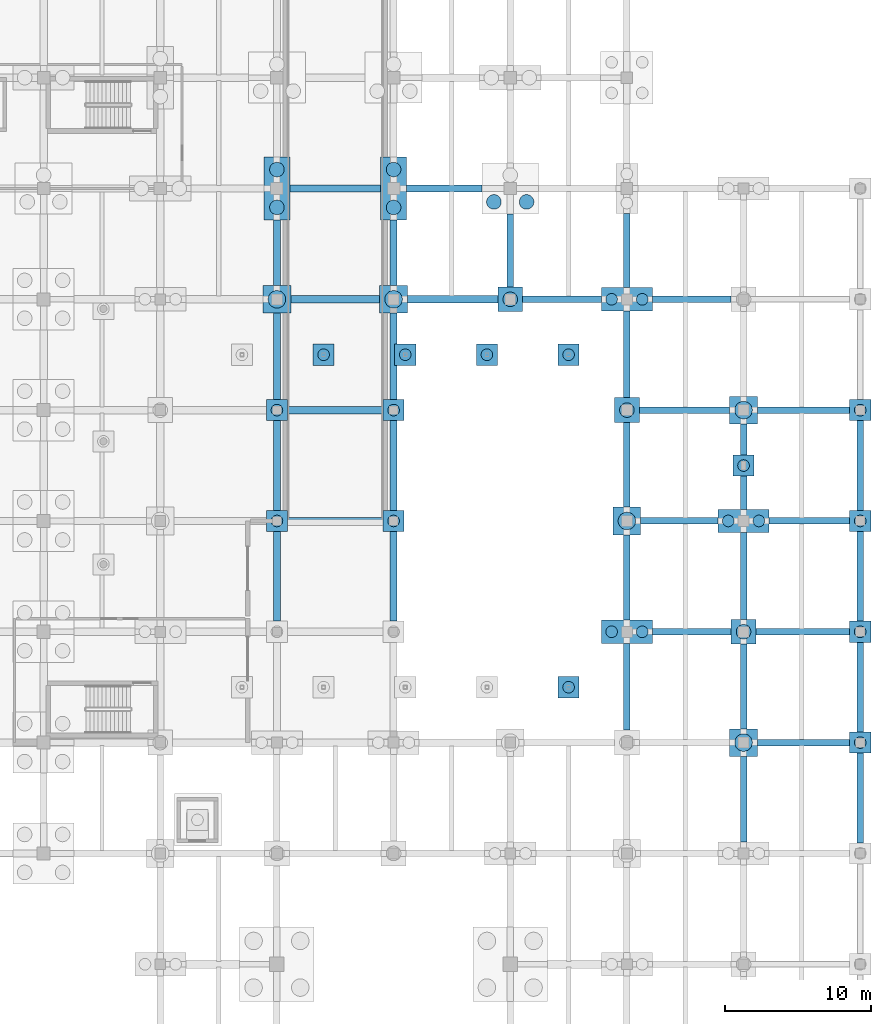
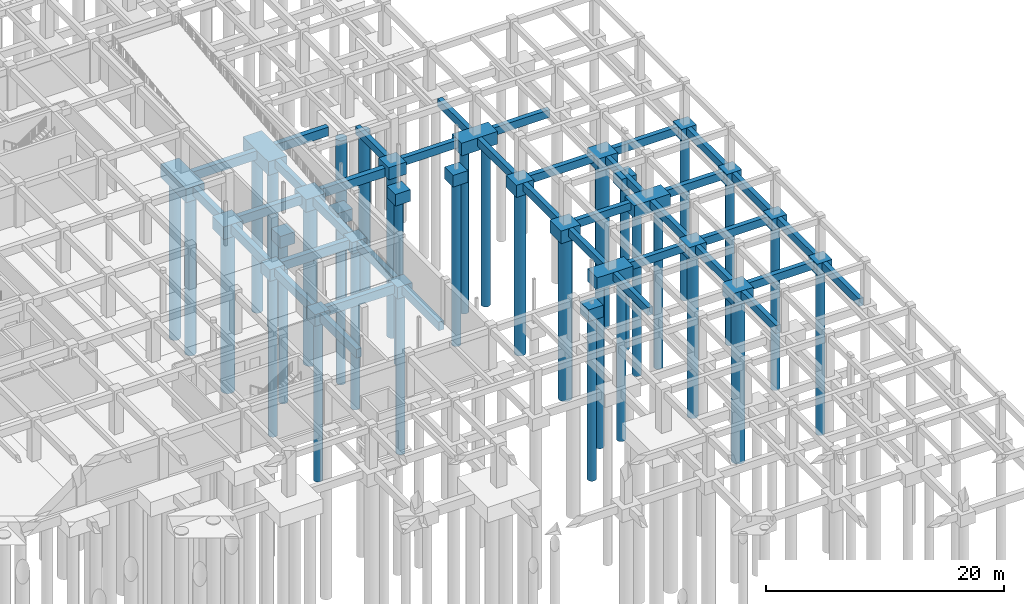
# One storey, part 14 of 49: 64 footings, 34 piles.
"""IFC4 building model written with IfcOpenShell, lengths in metres."""

from ifc_helpers import new_model, si_unit, direction, frame, origin, origin_2d, place, context, subcontext, project, spatial, rectangle, circle, extrude, material, layer, layer_set, material_profile, profile_set, type_object, element, save


model = new_model("IFC4")

# Units and contexts
model_context = context("Model", 3, precision=1e-05, world=origin(), true_north=direction((0.0, 1.0)))
body_context = subcontext(model_context, "Body", "Model", "MODEL_VIEW")
ifc_project = project(units=[si_unit("LENGTHUNIT", "METRE"), si_unit("AREAUNIT", "SQUARE_METRE"), si_unit("VOLUMEUNIT", "CUBIC_METRE"), si_unit("PLANEANGLEUNIT", "RADIAN"), si_unit("MASSUNIT", "GRAM", prefix="KILO")], contexts=[model_context])

# Site, building, storey
site_placement = place(None, origin())
site = spatial("IfcSite", under=ifc_project, at=site_placement, CompositionType="ELEMENT")
building_placement = place(site_placement, origin())
building = spatial("IfcBuilding", under=site, at=building_placement, Name="Zantavel Square City Hall", CompositionType="ELEMENT")
storey_placement = place(building_placement, frame((0.0, 0.0, -4.5)))
storey = spatial("IfcBuildingStorey", under=building, at=storey_placement, Name="B1", CompositionType="ELEMENT", Elevation=-4.5)

# Piles
ifc_material_1 = material(Name="Concrete C35/45", Category="concrete")
ifc_material_profile_1 = material_profile(ifc_material_1, circle(Radius=0.5, at=origin_2d()), Name="PILE D1000")
ifc_profile_set_1 = profile_set([ifc_material_profile_1], Name="Concrete C35/45")
pile_type_1 = type_object("IfcPileType", Name="Bored Pile D1000 Concrete C35/45", PredefinedType="BORED", material=ifc_profile_set_1)
for number, where, z_axis, x_axis, name in (
    (1, (128.0, 74.699951171875, -1.699951171875), (0.0, 0.0, -1.0), (1.0, 0.0, 0.0), "Bored Pile FDN-PL-1280-0760-1"),
    (2, (128.0, 77.300048828125, -1.699951171875), (0.0, 0.0, -1.0), (1.0, 0.0, 0.0), "Bored Pile FDN-PL-1280-0760-2"),
    (3, (136.0, 74.699951171875, -1.699951171875), (0.0, 0.0, -1.0), (1.0, 0.0, 0.0), "Bored Pile FDN-PL-1360-0760-1"),
    (4, (136.0, 77.300048828125, -1.699951171875), (0.0, 0.0, -1.0), (1.0, 0.0, 0.0), "Bored Pile FDN-PL-1360-0760-2"),
):
    element("IfcPile", number, at=place(storey_placement, frame(where, z_axis=z_axis, x_axis=x_axis)), inside=storey, type_object=pile_type_1, Name=name, PredefinedType="BORED", context=body_context, shape_type="SweptSolid", body=[
        extrude(circle(Radius=0.5, at=origin_2d()), origin(), (0.0, 0.0, 1.0), 16.300048828125),
    ])
pile_1_placement = place(storey_placement, frame((144.0, 68.39990234375, -1.14990234375), z_axis=(0.0, 0.0, -1.0), x_axis=(1.0, 0.0, 0.0)))
element("IfcPile", 5, at=pile_1_placement, inside=storey, type_object=pile_type_1, Name="Bored Pile FDN-PL-1440-0684-1", PredefinedType="BORED", context=body_context, shape_type="SweptSolid", body=[
    extrude(circle(Radius=0.5, at=origin_2d()), origin(), (0.0, 0.0, 1.0), 16.85009765625),
])
for number, where, z_axis, x_axis, name in (
    (6, (142.8798828125, 75.080078125, -1.35009765625), (0.0, 0.0, -1.0), (1.0, 0.0, 0.0), "Bored Pile FDN-PL-1440-0760-1"),
    (7, (145.1201171875, 75.080078125, -1.35009765625), (0.0, 0.0, -1.0), (1.0, 0.0, 0.0), "Bored Pile FDN-PL-1440-0760-2"),
):
    element("IfcPile", number, at=place(storey_placement, frame(where, z_axis=z_axis, x_axis=x_axis)), inside=storey, type_object=pile_type_1, Name=name, PredefinedType="BORED", context=body_context, shape_type="SweptSolid", body=[
        extrude(circle(Radius=0.5, at=origin_2d()), origin(), (0.0, 0.0, 1.0), 16.64990234375),
    ])
for number, where, z_axis, x_axis, name in (
    (8, (152.0, 60.800048828125, -1.14990234375), (0.0, 0.0, -1.0), (1.0, 0.0, 0.0), "Bored Pile FDN-PL-1520-0608-1"),
    (9, (160.0, 45.60009765625, -1.14990234375), (0.0, 0.0, -1.0), (1.0, 0.0, 0.0), "Bored Pile FDN-PL-1600-0456-1"),
):
    element("IfcPile", number, at=place(storey_placement, frame(where, z_axis=z_axis, x_axis=x_axis)), inside=storey, type_object=pile_type_1, Name=name, PredefinedType="BORED", context=body_context, shape_type="SweptSolid", body=[
        extrude(circle(Radius=0.5, at=origin_2d()), origin(), (0.0, 0.0, 1.0), 16.85009765625),
    ])
ifc_material_profile_2 = material_profile(ifc_material_1, circle(Radius=0.60009765625, at=origin_2d()), Name="PILE D1200")
ifc_profile_set_2 = profile_set([ifc_material_profile_2], Name="Concrete C35/45")
pile_type_2 = type_object("IfcPileType", Name="Bored Pile D1200 Concrete C35/45", PredefinedType="BORED", material=ifc_profile_set_2)
for number, where, z_axis, x_axis, name in (
    (10, (128.0, 68.39990234375, -1.60009765625), (0.0, 0.0, -1.0), (1.0, 0.0, 0.0), "Bored Pile FDN-PL-1280-0684-1"),
    (11, (136.0, 68.39990234375, -1.60009765625), (0.0, 0.0, -1.0), (1.0, 0.0, 0.0), "Bored Pile FDN-PL-1360-0684-1"),
):
    element("IfcPile", number, at=place(storey_placement, frame(where, z_axis=z_axis, x_axis=x_axis)), inside=storey, type_object=pile_type_2, Name=name, PredefinedType="BORED", context=body_context, shape_type="SweptSolid", body=[
        extrude(circle(Radius=0.60009765625, at=origin_2d()), origin(), (0.0, 0.0, 1.0), 16.39990234375),
    ])
for number, where, z_axis, x_axis, name in (
    (12, (152.0, 53.199951171875, -1.199951171875), (0.0, 0.0, -1.0), (1.0, 0.0, 0.0), "Bored Pile FDN-PL-1520-0532-1"),
    (13, (160.0, 38.0, -1.199951171875), (0.0, 0.0, -1.0), (1.0, 0.0, 0.0), "Bored Pile FDN-PL-1600-0380-1"),
    (14, (160.0, 60.800048828125, -1.199951171875), (0.0, 0.0, -1.0), (1.0, 0.0, 0.0), "Bored Pile FDN-PL-1600-0608-1"),
):
    element("IfcPile", number, at=place(storey_placement, frame(where, z_axis=z_axis, x_axis=x_axis)), inside=storey, type_object=pile_type_2, Name=name, PredefinedType="BORED", context=body_context, shape_type="SweptSolid", body=[
        extrude(circle(Radius=0.60009765625, at=origin_2d()), origin(), (0.0, 0.0, 1.0), 16.800048828125),
    ])
ifc_material_profile_3 = material_profile(ifc_material_1, circle(Radius=0.39990234375, at=origin_2d()), Name="PILE D800")
ifc_profile_set_3 = profile_set([ifc_material_profile_3], Name="Concrete C35/45")
pile_type_3 = type_object("IfcPileType", Name="Bored Pile D800 Concrete C35/45", PredefinedType="BORED", material=ifc_profile_set_3)
for number, where, z_axis, x_axis, name in (
    (15, (128.0, 53.199951171875, -1.5), (0.0, 0.0, -1.0), (1.0, 0.0, 0.0), "Bored Pile FDN-PL-1280-0532-1"),
    (16, (128.0, 60.800048828125, -1.5), (0.0, 0.0, -1.0), (1.0, 0.0, 0.0), "Bored Pile FDN-PL-1280-0608-1"),
    (17, (136.0, 53.199951171875, -1.5), (0.0, 0.0, -1.0), (1.0, 0.0, 0.0), "Bored Pile FDN-PL-1360-0532-1"),
    (18, (136.0, 60.800048828125, -1.5), (0.0, 0.0, -1.0), (1.0, 0.0, 0.0), "Bored Pile FDN-PL-1360-0608-1"),
):
    element("IfcPile", number, at=place(storey_placement, frame(where, z_axis=z_axis, x_axis=x_axis)), inside=storey, type_object=pile_type_3, Name=name, PredefinedType="BORED", context=body_context, shape_type="SweptSolid", body=[
        extrude(circle(Radius=0.39990234375, at=origin_2d()), origin(), (0.0, 0.0, 1.0), 16.5),
    ])
for number, where, z_axis, x_axis, name in (
    (19, (150.949951171875, 45.60009765625, -1.199951171875), (0.0, 0.0, -1.0), (1.0, 0.0, 0.0), "Bored Pile FDN-PL-1520-0456-1"),
    (20, (153.050048828125, 45.60009765625, -1.199951171875), (0.0, 0.0, -1.0), (1.0, 0.0, 0.0), "Bored Pile FDN-PL-1520-0456-2"),
    (21, (150.949951171875, 68.39990234375, -1.199951171875), (0.0, 0.0, -1.0), (1.0, 0.0, 0.0), "Bored Pile FDN-PL-1520-0684-1"),
    (22, (153.050048828125, 68.39990234375, -1.199951171875), (0.0, 0.0, -1.0), (1.0, 0.0, 0.0), "Bored Pile FDN-PL-1520-0684-2"),
    (23, (158.949951171875, 53.199951171875, -1.199951171875), (0.0, 0.0, -1.0), (1.0, 0.0, 0.0), "Bored Pile FDN-PL-1600-0532-1"),
    (24, (161.050048828125, 53.199951171875, -1.199951171875), (0.0, 0.0, -1.0), (1.0, 0.0, 0.0), "Bored Pile FDN-PL-1600-0532-2"),
):
    element("IfcPile", number, at=place(storey_placement, frame(where, z_axis=z_axis, x_axis=x_axis)), inside=storey, type_object=pile_type_3, Name=name, PredefinedType="BORED", context=body_context, shape_type="SweptSolid", body=[
        extrude(circle(Radius=0.39990234375, at=origin_2d()), origin(), (0.0, 0.0, 1.0), 16.800048828125),
    ])
for number, where, z_axis, x_axis, name in (
    (25, (168.0, 38.0, -1.10009765625), (0.0, 0.0, -1.0), (1.0, 0.0, 0.0), "Bored Pile FDN-PL-1680-0380-1"),
    (26, (168.0, 45.60009765625, -1.10009765625), (0.0, 0.0, -1.0), (1.0, 0.0, 0.0), "Bored Pile FDN-PL-1680-0456-1"),
    (27, (168.0, 53.199951171875, -1.10009765625), (0.0, 0.0, -1.0), (1.0, 0.0, 0.0), "Bored Pile FDN-PL-1680-0532-1"),
    (28, (168.0, 60.800048828125, -1.10009765625), (0.0, 0.0, -1.0), (1.0, 0.0, 0.0), "Bored Pile FDN-PL-1680-0608-1"),
    (29, (160.0, 57.0, -1.10009765625), (0.0, 0.0, -1.0), (1.0, 0.0, 0.0), "Pilaster Bored Pile FDN-PLPIL-1600-0570"),
):
    element("IfcPile", number, at=place(storey_placement, frame(where, z_axis=z_axis, x_axis=x_axis)), inside=storey, type_object=pile_type_3, Name=name, PredefinedType="BORED", context=body_context, shape_type="SweptSolid", body=[
        extrude(circle(Radius=0.39990234375, at=origin_2d()), origin(), (0.0, 0.0, 1.0), 16.89990234375),
    ])
pile_2_placement = place(storey_placement, frame((131.199951171875, 64.60009765625, -1.5), z_axis=(0.0, 0.0, -1.0), x_axis=(1.0, 0.0, 0.0)))
element("IfcPile", 30, at=pile_2_placement, inside=storey, type_object=pile_type_3, Name="Skylight Pier Bored Pile 2-N", PredefinedType="BORED", context=body_context, shape_type="SweptSolid", body=[
    extrude(circle(Radius=0.39990234375, at=origin_2d()), origin(), (0.0, 0.0, 1.0), 16.5),
])
for number, where, z_axis, x_axis, name in (
    (31, (136.800048828125, 64.60009765625, -1.10009765625), (0.0, 0.0, -1.0), (1.0, 0.0, 0.0), "Skylight Pier Bored Pile 3-N"),
    (32, (142.39990234375, 64.60009765625, -1.10009765625), (0.0, 0.0, -1.0), (1.0, 0.0, 0.0), "Skylight Pier Bored Pile 4-N"),
    (33, (148.0, 41.800048828125, -1.10009765625), (0.0, 0.0, -1.0), (1.0, 0.0, 0.0), "Skylight Pier Bored Pile 5-S"),
    (34, (148.0, 64.60009765625, -1.10009765625), (0.0, 0.0, -1.0), (1.0, 0.0, 0.0), "Skylight Pier Bored Pile 5-N"),
):
    element("IfcPile", number, at=place(storey_placement, frame(where, z_axis=z_axis, x_axis=x_axis)), inside=storey, type_object=pile_type_3, Name=name, PredefinedType="BORED", context=body_context, shape_type="SweptSolid", body=[
        extrude(circle(Radius=0.39990234375, at=origin_2d()), origin(), (0.0, 0.0, 1.0), 16.89990234375),
    ])

# Footings
ifc_material_profile_4 = material_profile(ifc_material_1, rectangle(XDim=0.449951171875, YDim=0.800048828125, at=origin_2d()), Name="RC 450x800")
ifc_profile_set_4 = profile_set([ifc_material_profile_4], Name="Concrete C35/45")
footing_type_1 = type_object("IfcFootingType", Name="Courtyard Grade Tie Beam 450x800 C35/45", PredefinedType="FOOTING_BEAM", material=ifc_profile_set_4)
footing_1_placement = place(storey_placement, frame((144.85009765625, 68.39990234375, -0.39990234375), z_axis=(1.0, 0.0, 0.0), x_axis=(0.0, 1.0, 0.0)))
element("IfcFooting", 35, at=footing_1_placement, inside=storey, type_object=footing_type_1, Name="Grade Tie Beam FDN-GTBX-1440-0684", PredefinedType="FOOTING_BEAM", context=body_context, shape_type="SweptSolid", body=[
    extrude(rectangle(XDim=0.449951171875, YDim=0.800048828125, at=origin_2d()), origin(), (0.0, 0.0, 1.0), 5.39990234375),
])
footing_2_placement = place(storey_placement, frame((144.0, 69.25, -0.39990234375), z_axis=(0.0, 1.0, 0.0), x_axis=(-1.0, 0.0, 0.0)))
element("IfcFooting", 36, at=footing_2_placement, inside=storey, type_object=footing_type_1, Name="Grade Tie Beam FDN-GTBY-1440-0684", PredefinedType="FOOTING_BEAM", context=body_context, shape_type="SweptSolid", body=[
    extrude(rectangle(XDim=0.449951171875, YDim=0.800048828125, at=origin_2d()), origin(), (0.0, 0.0, 1.0), 5.0),
])
footing_3_placement = place(storey_placement, frame((152.0, 38.85009765625, -0.39990234375), z_axis=(0.0, 1.0, 0.0), x_axis=(-1.0, 0.0, 0.0)))
element("IfcFooting", 37, at=footing_3_placement, inside=storey, type_object=footing_type_1, Name="Grade Tie Beam FDN-GTBY-1520-0380", PredefinedType="FOOTING_BEAM", context=body_context, shape_type="SweptSolid", body=[
    extrude(rectangle(XDim=0.449951171875, YDim=0.800048828125, at=origin_2d()), origin(), (0.0, 0.0, 1.0), 5.949951171875),
])
footing_4_placement = place(storey_placement, frame((153.75, 45.60009765625, -0.39990234375), z_axis=(1.0, 0.0, 0.0), x_axis=(0.0, 1.0, 0.0)))
element("IfcFooting", 38, at=footing_4_placement, inside=storey, type_object=footing_type_1, Name="Grade Tie Beam FDN-GTBX-1520-0456", PredefinedType="FOOTING_BEAM", context=body_context, shape_type="SweptSolid", body=[
    extrude(rectangle(XDim=0.449951171875, YDim=0.800048828125, at=origin_2d()), origin(), (0.0, 0.0, 1.0), 5.39990234375),
])
footing_5_placement = place(storey_placement, frame((152.0, 46.39990234375, -0.39990234375), z_axis=(0.0, 1.0, 0.0), x_axis=(-1.0, 0.0, 0.0)))
element("IfcFooting", 39, at=footing_5_placement, inside=storey, type_object=footing_type_1, Name="Grade Tie Beam FDN-GTBY-1520-0456", PredefinedType="FOOTING_BEAM", context=body_context, shape_type="SweptSolid", body=[
    extrude(rectangle(XDim=0.449951171875, YDim=0.800048828125, at=origin_2d()), origin(), (0.0, 0.0, 1.0), 5.85009765625),
])
footing_6_placement = place(storey_placement, frame((152.949951171875, 53.199951171875, -0.39990234375), z_axis=(1.0, 0.0, 0.0), x_axis=(0.0, 1.0, 0.0)))
element("IfcFooting", 40, at=footing_6_placement, inside=storey, type_object=footing_type_1, Name="Grade Tie Beam FDN-GTBX-1520-0532", PredefinedType="FOOTING_BEAM", context=body_context, shape_type="SweptSolid", body=[
    extrude(rectangle(XDim=0.449951171875, YDim=0.800048828125, at=origin_2d()), origin(), (0.0, 0.0, 1.0), 5.300048828125),
])
footing_7_placement = place(storey_placement, frame((152.0, 54.14990234375, -0.39990234375), z_axis=(0.0, 1.0, 0.0), x_axis=(-1.0, 0.0, 0.0)))
element("IfcFooting", 41, at=footing_7_placement, inside=storey, type_object=footing_type_1, Name="Grade Tie Beam FDN-GTBY-1520-0532", PredefinedType="FOOTING_BEAM", context=body_context, shape_type="SweptSolid", body=[
    extrude(rectangle(XDim=0.449951171875, YDim=0.800048828125, at=origin_2d()), origin(), (0.0, 0.0, 1.0), 5.800048828125),
])
footing_8_placement = place(storey_placement, frame((152.85009765625, 60.800048828125, -0.39990234375), z_axis=(1.0, 0.0, 0.0), x_axis=(0.0, 1.0, 0.0)))
element("IfcFooting", 42, at=footing_8_placement, inside=storey, type_object=footing_type_1, Name="Grade Tie Beam FDN-GTBX-1520-0608", PredefinedType="FOOTING_BEAM", context=body_context, shape_type="SweptSolid", body=[
    extrude(rectangle(XDim=0.449951171875, YDim=0.800048828125, at=origin_2d()), origin(), (0.0, 0.0, 1.0), 6.199951171875),
])
footing_9_placement = place(storey_placement, frame((152.0, 61.64990234375, -0.39990234375), z_axis=(0.0, 1.0, 0.0), x_axis=(-1.0, 0.0, 0.0)))
element("IfcFooting", 43, at=footing_9_placement, inside=storey, type_object=footing_type_1, Name="Grade Tie Beam FDN-GTBY-1520-0608", PredefinedType="FOOTING_BEAM", context=body_context, shape_type="SweptSolid", body=[
    extrude(rectangle(XDim=0.449951171875, YDim=0.800048828125, at=origin_2d()), origin(), (0.0, 0.0, 1.0), 5.9501953125),
])
footing_10_placement = place(storey_placement, frame((153.75, 68.39990234375, -0.39990234375), z_axis=(1.0, 0.0, 0.0), x_axis=(0.0, 1.0, 0.0)))
element("IfcFooting", 44, at=footing_10_placement, inside=storey, type_object=footing_type_1, Name="Grade Tie Beam FDN-GTBX-1520-0684", PredefinedType="FOOTING_BEAM", context=body_context, shape_type="SweptSolid", body=[
    extrude(rectangle(XDim=0.449951171875, YDim=0.800048828125, at=origin_2d()), origin(), (0.0, 0.0, 1.0), 5.39990234375),
])
footing_11_placement = place(storey_placement, frame((152.0, 69.199951171875, -0.39990234375), z_axis=(0.0, 1.0, 0.0), x_axis=(-1.0, 0.0, 0.0)))
element("IfcFooting", 45, at=footing_11_placement, inside=storey, type_object=footing_type_1, Name="Grade Tie Beam FDN-GTBY-1520-0684", PredefinedType="FOOTING_BEAM", context=body_context, shape_type="SweptSolid", body=[
    extrude(rectangle(XDim=0.449951171875, YDim=0.800048828125, at=origin_2d()), origin(), (0.0, 0.0, 1.0), 5.10009765625),
])
footing_12_placement = place(storey_placement, frame((160.0, 31.199951171875, -0.39990234375), z_axis=(0.0, 1.0, 0.0), x_axis=(-1.0, 0.0, 0.0)))
element("IfcFooting", 46, at=footing_12_placement, inside=storey, type_object=footing_type_1, Name="Grade Tie Beam FDN-GTBY-1600-0304", PredefinedType="FOOTING_BEAM", context=body_context, shape_type="SweptSolid", body=[
    extrude(rectangle(XDim=0.449951171875, YDim=0.800048828125, at=origin_2d()), origin(), (0.0, 0.0, 1.0), 5.85009765625),
])
footing_13_placement = place(storey_placement, frame((160.949951171875, 38.0, -0.39990234375), z_axis=(1.0, 0.0, 0.0), x_axis=(0.0, 1.0, 0.0)))
element("IfcFooting", 47, at=footing_13_placement, inside=storey, type_object=footing_type_1, Name="Grade Tie Beam FDN-GTBX-1600-0380", PredefinedType="FOOTING_BEAM", context=body_context, shape_type="SweptSolid", body=[
    extrude(rectangle(XDim=0.449951171875, YDim=0.800048828125, at=origin_2d()), origin(), (0.0, 0.0, 1.0), 6.324951171875),
])
footing_14_placement = place(storey_placement, frame((160.0, 38.949951171875, -0.39990234375), z_axis=(0.0, 1.0, 0.0), x_axis=(-1.0, 0.0, 0.0)))
element("IfcFooting", 48, at=footing_14_placement, inside=storey, type_object=footing_type_1, Name="Grade Tie Beam FDN-GTBY-1600-0380", PredefinedType="FOOTING_BEAM", context=body_context, shape_type="SweptSolid", body=[
    extrude(rectangle(XDim=0.449951171875, YDim=0.800048828125, at=origin_2d()), origin(), (0.0, 0.0, 1.0), 5.800048828125),
])
footing_15_placement = place(storey_placement, frame((160.85009765625, 45.60009765625, -0.39990234375), z_axis=(1.0, 0.0, 0.0), x_axis=(0.0, 1.0, 0.0)))
element("IfcFooting", 49, at=footing_15_placement, inside=storey, type_object=footing_type_1, Name="Grade Tie Beam FDN-GTBX-1600-0456", PredefinedType="FOOTING_BEAM", context=body_context, shape_type="SweptSolid", body=[
    extrude(rectangle(XDim=0.449951171875, YDim=0.800048828125, at=origin_2d()), origin(), (0.0, 0.0, 1.0), 6.4248046875),
])
footing_16_placement = place(storey_placement, frame((160.0, 46.449951171875, -0.39990234375), z_axis=(0.0, 1.0, 0.0), x_axis=(-1.0, 0.0, 0.0)))
element("IfcFooting", 50, at=footing_16_placement, inside=storey, type_object=footing_type_1, Name="Grade Tie Beam FDN-GTBY-1600-0456", PredefinedType="FOOTING_BEAM", context=body_context, shape_type="SweptSolid", body=[
    extrude(rectangle(XDim=0.449951171875, YDim=0.800048828125, at=origin_2d()), origin(), (0.0, 0.0, 1.0), 5.949951171875),
])
footing_17_placement = place(storey_placement, frame((161.75, 53.199951171875, -0.39990234375), z_axis=(1.0, 0.0, 0.0), x_axis=(0.0, 1.0, 0.0)))
element("IfcFooting", 51, at=footing_17_placement, inside=storey, type_object=footing_type_1, Name="Grade Tie Beam FDN-GTBX-1600-0532", PredefinedType="FOOTING_BEAM", context=body_context, shape_type="SweptSolid", body=[
    extrude(rectangle(XDim=0.449951171875, YDim=0.800048828125, at=origin_2d()), origin(), (0.0, 0.0, 1.0), 5.52490234375),
])
footing_18_placement = place(storey_placement, frame((160.0, 54.0, -0.39990234375), z_axis=(0.0, 1.0, 0.0), x_axis=(-1.0, 0.0, 0.0)))
element("IfcFooting", 52, at=footing_18_placement, inside=storey, type_object=footing_type_1, Name="Grade Tie Beam FDN-GTBY-1600-0532", PredefinedType="FOOTING_BEAM", context=body_context, shape_type="SweptSolid", body=[
    extrude(rectangle(XDim=0.449951171875, YDim=0.800048828125, at=origin_2d()), origin(), (0.0, 0.0, 1.0), 5.85009765625),
])
footing_19_placement = place(storey_placement, frame((160.949951171875, 60.800048828125, -0.39990234375), z_axis=(1.0, 0.0, 0.0), x_axis=(0.0, 1.0, 0.0)))
element("IfcFooting", 53, at=footing_19_placement, inside=storey, type_object=footing_type_1, Name="Grade Tie Beam FDN-GTBX-1600-0608", PredefinedType="FOOTING_BEAM", context=body_context, shape_type="SweptSolid", body=[
    extrude(rectangle(XDim=0.449951171875, YDim=0.800048828125, at=origin_2d()), origin(), (0.0, 0.0, 1.0), 6.324951171875),
])
for number, where, z_axis, x_axis, name in (
    (54, (168.0, 31.125, -0.39990234375), (0.0, 1.0, 0.0), (-1.0, 0.0, 0.0), "Grade Tie Beam FDN-GTBY-1680-0304"),
    (55, (168.0, 38.72509765625, -0.39990234375), (0.0, 1.0, 0.0), (-1.0, 0.0, 0.0), "Grade Tie Beam FDN-GTBY-1680-0380"),
):
    element("IfcFooting", number, at=place(storey_placement, frame(where, z_axis=z_axis, x_axis=x_axis)), inside=storey, type_object=footing_type_1, Name=name, PredefinedType="FOOTING_BEAM", context=body_context, shape_type="SweptSolid", body=[
        extrude(rectangle(XDim=0.449951171875, YDim=0.800048828125, at=origin_2d()), origin(), (0.0, 0.0, 1.0), 6.14990234375),
    ])
footing_20_placement = place(storey_placement, frame((168.0, 46.324951171875, -0.39990234375), z_axis=(0.0, 1.0, 0.0), x_axis=(-1.0, 0.0, 0.0)))
element("IfcFooting", 56, at=footing_20_placement, inside=storey, type_object=footing_type_1, Name="Grade Tie Beam FDN-GTBY-1680-0456", PredefinedType="FOOTING_BEAM", context=body_context, shape_type="SweptSolid", body=[
    extrude(rectangle(XDim=0.449951171875, YDim=0.800048828125, at=origin_2d()), origin(), (0.0, 0.0, 1.0), 6.150146484375),
])
footing_21_placement = place(storey_placement, frame((168.0, 53.925048828125, -0.39990234375), z_axis=(0.0, 1.0, 0.0), x_axis=(-1.0, 0.0, 0.0)))
element("IfcFooting", 57, at=footing_21_placement, inside=storey, type_object=footing_type_1, Name="Grade Tie Beam FDN-GTBY-1680-0532", PredefinedType="FOOTING_BEAM", context=body_context, shape_type="SweptSolid", body=[
    extrude(rectangle(XDim=0.449951171875, YDim=0.800048828125, at=origin_2d()), origin(), (0.0, 0.0, 1.0), 6.14990234375),
])
ifc_material_profile_5 = material_profile(ifc_material_1, rectangle(XDim=0.5, YDim=0.89990234375, at=origin_2d()), Name="RC 500x900")
ifc_profile_set_5 = profile_set([ifc_material_profile_5], Name="Concrete C35/45")
footing_type_2 = type_object("IfcFootingType", Name="Grade Tie Beam 500x900 Concrete C35/45", PredefinedType="FOOTING_BEAM", material=ifc_profile_set_5)
footing_22_placement = place(storey_placement, frame((128.0, 46.324951171875, -0.85009765625), z_axis=(0.0, 1.0, 0.0), x_axis=(-1.0, 0.0, 0.0)))
element("IfcFooting", 58, at=footing_22_placement, inside=storey, type_object=footing_type_2, Name="Grade Tie Beam FDN-GTBY-1280-0456", PredefinedType="FOOTING_BEAM", context=body_context, shape_type="SweptSolid", body=[
    extrude(rectangle(XDim=0.5, YDim=0.89990234375, at=origin_2d()), origin(), (0.0, 0.0, 1.0), 6.150146484375),
])
footing_23_placement = place(storey_placement, frame((128.72509765625, 53.199951171875, -0.85009765625), z_axis=(1.0, 0.0, 0.0), x_axis=(0.0, 1.0, 0.0)))
element("IfcFooting", 59, at=footing_23_placement, inside=storey, type_object=footing_type_2, Name="Grade Tie Beam FDN-GTBX-1280-0532", PredefinedType="FOOTING_BEAM", context=body_context, shape_type="SweptSolid", body=[
    extrude(rectangle(XDim=0.5, YDim=0.89990234375, at=origin_2d()), origin(), (0.0, 0.0, 1.0), 6.5498046875),
])
footing_24_placement = place(storey_placement, frame((128.0, 53.925048828125, -0.85009765625), z_axis=(0.0, 1.0, 0.0), x_axis=(-1.0, 0.0, 0.0)))
element("IfcFooting", 60, at=footing_24_placement, inside=storey, type_object=footing_type_2, Name="Grade Tie Beam FDN-GTBY-1280-0532", PredefinedType="FOOTING_BEAM", context=body_context, shape_type="SweptSolid", body=[
    extrude(rectangle(XDim=0.5, YDim=0.89990234375, at=origin_2d()), origin(), (0.0, 0.0, 1.0), 6.14990234375),
])
footing_25_placement = place(storey_placement, frame((128.72509765625, 60.800048828125, -0.85009765625), z_axis=(1.0, 0.0, 0.0), x_axis=(0.0, 1.0, 0.0)))
element("IfcFooting", 61, at=footing_25_placement, inside=storey, type_object=footing_type_2, Name="Grade Tie Beam FDN-GTBX-1280-0608", PredefinedType="FOOTING_BEAM", context=body_context, shape_type="SweptSolid", body=[
    extrude(rectangle(XDim=0.5, YDim=0.89990234375, at=origin_2d()), origin(), (0.0, 0.0, 1.0), 6.5498046875),
])
footing_26_placement = place(storey_placement, frame((128.0, 61.52490234375, -0.85009765625), z_axis=(0.0, 1.0, 0.0), x_axis=(-1.0, 0.0, 0.0)))
element("IfcFooting", 62, at=footing_26_placement, inside=storey, type_object=footing_type_2, Name="Grade Tie Beam FDN-GTBY-1280-0608", PredefinedType="FOOTING_BEAM", context=body_context, shape_type="SweptSolid", body=[
    extrude(rectangle(XDim=0.5, YDim=0.89990234375, at=origin_2d()), origin(), (0.0, 0.0, 1.0), 5.925048828125),
])
footing_27_placement = place(storey_placement, frame((128.949951171875, 68.39990234375, -0.85009765625), z_axis=(1.0, 0.0, 0.0), x_axis=(0.0, 1.0, 0.0)))
element("IfcFooting", 63, at=footing_27_placement, inside=storey, type_object=footing_type_2, Name="Grade Tie Beam FDN-GTBX-1280-0684", PredefinedType="FOOTING_BEAM", context=body_context, shape_type="SweptSolid", body=[
    extrude(rectangle(XDim=0.5, YDim=0.89990234375, at=origin_2d()), origin(), (0.0, 0.0, 1.0), 6.10009765625),
])
footing_28_placement = place(storey_placement, frame((128.0, 69.35009765625, -0.85009765625), z_axis=(0.0, 1.0, 0.0), x_axis=(-1.0, 0.0, 0.0)))
element("IfcFooting", 64, at=footing_28_placement, inside=storey, type_object=footing_type_2, Name="Grade Tie Beam FDN-GTBY-1280-0684", PredefinedType="FOOTING_BEAM", context=body_context, shape_type="SweptSolid", body=[
    extrude(rectangle(XDim=0.5, YDim=0.89990234375, at=origin_2d()), origin(), (0.0, 0.0, 1.0), 4.5),
])
footing_29_placement = place(storey_placement, frame((128.89990234375, 76.0, -0.85009765625), z_axis=(1.0, 0.0, 0.0), x_axis=(0.0, 1.0, 0.0)))
element("IfcFooting", 65, at=footing_29_placement, inside=storey, type_object=footing_type_2, Name="Grade Tie Beam FDN-GTBX-1280-0760", PredefinedType="FOOTING_BEAM", context=body_context, shape_type="SweptSolid", body=[
    extrude(rectangle(XDim=0.5, YDim=0.89990234375, at=origin_2d()), origin(), (0.0, 0.0, 1.0), 6.2001953125),
])
footing_30_placement = place(storey_placement, frame((136.0, 46.324951171875, -0.85009765625), z_axis=(0.0, 1.0, 0.0), x_axis=(-1.0, 0.0, 0.0)))
element("IfcFooting", 66, at=footing_30_placement, inside=storey, type_object=footing_type_2, Name="Grade Tie Beam FDN-GTBY-1360-0456", PredefinedType="FOOTING_BEAM", context=body_context, shape_type="SweptSolid", body=[
    extrude(rectangle(XDim=0.5, YDim=0.89990234375, at=origin_2d()), origin(), (0.0, 0.0, 1.0), 6.150146484375),
])
footing_31_placement = place(storey_placement, frame((136.0, 53.925048828125, -0.85009765625), z_axis=(0.0, 1.0, 0.0), x_axis=(-1.0, 0.0, 0.0)))
element("IfcFooting", 67, at=footing_31_placement, inside=storey, type_object=footing_type_2, Name="Grade Tie Beam FDN-GTBY-1360-0532", PredefinedType="FOOTING_BEAM", context=body_context, shape_type="SweptSolid", body=[
    extrude(rectangle(XDim=0.5, YDim=0.89990234375, at=origin_2d()), origin(), (0.0, 0.0, 1.0), 6.14990234375),
])
footing_32_placement = place(storey_placement, frame((136.0, 61.52490234375, -0.85009765625), z_axis=(0.0, 1.0, 0.0), x_axis=(-1.0, 0.0, 0.0)))
element("IfcFooting", 68, at=footing_32_placement, inside=storey, type_object=footing_type_2, Name="Grade Tie Beam FDN-GTBY-1360-0608", PredefinedType="FOOTING_BEAM", context=body_context, shape_type="SweptSolid", body=[
    extrude(rectangle(XDim=0.5, YDim=0.89990234375, at=origin_2d()), origin(), (0.0, 0.0, 1.0), 5.925048828125),
])
footing_33_placement = place(storey_placement, frame((136.949951171875, 68.39990234375, -0.85009765625), z_axis=(1.0, 0.0, 0.0), x_axis=(0.0, 1.0, 0.0)))
element("IfcFooting", 69, at=footing_33_placement, inside=storey, type_object=footing_type_2, Name="Grade Tie Beam FDN-GTBX-1360-0684", PredefinedType="FOOTING_BEAM", context=body_context, shape_type="SweptSolid", body=[
    extrude(rectangle(XDim=0.5, YDim=0.89990234375, at=origin_2d()), origin(), (0.0, 0.0, 1.0), 6.199951171875),
])
footing_34_placement = place(storey_placement, frame((136.0, 69.35009765625, -0.85009765625), z_axis=(0.0, 1.0, 0.0), x_axis=(-1.0, 0.0, 0.0)))
element("IfcFooting", 70, at=footing_34_placement, inside=storey, type_object=footing_type_2, Name="Grade Tie Beam FDN-GTBY-1360-0684", PredefinedType="FOOTING_BEAM", context=body_context, shape_type="SweptSolid", body=[
    extrude(rectangle(XDim=0.5, YDim=0.89990234375, at=origin_2d()), origin(), (0.0, 0.0, 1.0), 4.5),
])
footing_35_placement = place(storey_placement, frame((136.89990234375, 76.0, -0.85009765625), z_axis=(1.0, 0.0, 0.0), x_axis=(0.0, 1.0, 0.0)))
element("IfcFooting", 71, at=footing_35_placement, inside=storey, type_object=footing_type_2, Name="Grade Tie Beam FDN-GTBX-1360-0760", PredefinedType="FOOTING_BEAM", context=body_context, shape_type="SweptSolid", body=[
    extrude(rectangle(XDim=0.5, YDim=0.89990234375, at=origin_2d()), origin(), (0.0, 0.0, 1.0), 5.150146484375),
])
ifc_material_2 = material(Name="Concrete C40/50", Category="concrete")
ifc_layer_1 = layer(ifc_material_2, 1.25, Name="Concrete C40/50")
ifc_layer_set_1 = layer_set([ifc_layer_1], Name="Concrete C40/50")
footing_type_3 = type_object("IfcFootingType", Name="Pile Cap 1P-D1000 1700x1700x1250", PredefinedType="PILE_CAP", material=ifc_layer_set_1)
for number, where, z_axis, x_axis, name in (
    (72, (144.0, 68.39990234375, -1.25), (0.0, 0.0, 1.0), (1.0, 0.0, 0.0), "Pile Cap FDN-PC-1440-0684"),
    (73, (152.0, 60.800048828125, -1.25), (0.0, 0.0, 1.0), (1.0, 0.0, 0.0), "Pile Cap FDN-PC-1520-0608"),
    (74, (160.0, 45.60009765625, -1.25), (0.0, 0.0, 1.0), (1.0, 0.0, 0.0), "Pile Cap FDN-PC-1600-0456"),
):
    element("IfcFooting", number, at=place(storey_placement, frame(where, z_axis=z_axis, x_axis=x_axis)), inside=storey, type_object=footing_type_3, Name=name, PredefinedType="PILE_CAP", context=body_context, shape_type="SweptSolid", body=[
        extrude(rectangle(XDim=1.699951171875, YDim=1.699951171875, at=origin_2d()), origin(), (0.0, 0.0, 1.0), 1.25),
    ])
ifc_layer_2 = layer(ifc_material_2, 1.300048828125, Name="Concrete C40/50")
ifc_layer_set_2 = layer_set([ifc_layer_2], Name="Concrete C40/50")
footing_type_4 = type_object("IfcFootingType", Name="Pile Cap 1P-D1200 1900x1900x1300", PredefinedType="PILE_CAP", material=ifc_layer_set_2)
for number, where, z_axis, x_axis, name in (
    (75, (128.0, 68.39990234375, -1.7001953125), (0.0, 0.0, 1.0), (1.0, 0.0, 0.0), "Pile Cap FDN-PC-1280-0684"),
    (76, (136.0, 68.39990234375, -1.7001953125), (0.0, 0.0, 1.0), (1.0, 0.0, 0.0), "Pile Cap FDN-PC-1360-0684"),
    (77, (152.0, 53.199951171875, -1.2998046875), (0.0, 0.0, 1.0), (1.0, 0.0, 0.0), "Pile Cap FDN-PC-1520-0532"),
    (78, (160.0, 38.0, -1.2998046875), (0.0, 0.0, 1.0), (1.0, 0.0, 0.0), "Pile Cap FDN-PC-1600-0380"),
    (79, (160.0, 60.800048828125, -1.2998046875), (0.0, 0.0, 1.0), (1.0, 0.0, 0.0), "Pile Cap FDN-PC-1600-0608"),
):
    element("IfcFooting", number, at=place(storey_placement, frame(where, z_axis=z_axis, x_axis=x_axis)), inside=storey, type_object=footing_type_4, Name=name, PredefinedType="PILE_CAP", context=body_context, shape_type="SweptSolid", body=[
        extrude(rectangle(XDim=1.89990234375, YDim=1.89990234375, at=origin_2d()), origin(), (0.0, 0.0, 1.0), 1.300048828125),
    ])
ifc_layer_3 = layer(ifc_material_2, 1.199951171875, Name="Concrete C40/50")
ifc_layer_set_3 = layer_set([ifc_layer_3], Name="Concrete C40/50")
footing_type_5 = type_object("IfcFootingType", Name="Pile Cap 1P-D800 1450x1450x1200", PredefinedType="PILE_CAP", material=ifc_layer_set_3)
for number, where, z_axis, x_axis, name in (
    (80, (128.0, 53.199951171875, -1.60009765625), (0.0, 0.0, 1.0), (1.0, 0.0, 0.0), "Pile Cap FDN-PC-1280-0532"),
    (81, (128.0, 60.800048828125, -1.60009765625), (0.0, 0.0, 1.0), (1.0, 0.0, 0.0), "Pile Cap FDN-PC-1280-0608"),
    (82, (136.0, 53.199951171875, -1.60009765625), (0.0, 0.0, 1.0), (1.0, 0.0, 0.0), "Pile Cap FDN-PC-1360-0532"),
    (83, (136.0, 60.800048828125, -1.60009765625), (0.0, 0.0, 1.0), (1.0, 0.0, 0.0), "Pile Cap FDN-PC-1360-0608"),
    (84, (168.0, 38.0, -1.2001953125), (0.0, 0.0, 1.0), (1.0, 0.0, 0.0), "Pile Cap FDN-PC-1680-0380"),
    (85, (168.0, 45.60009765625, -1.2001953125), (0.0, 0.0, 1.0), (1.0, 0.0, 0.0), "Pile Cap FDN-PC-1680-0456"),
    (86, (168.0, 53.199951171875, -1.2001953125), (0.0, 0.0, 1.0), (1.0, 0.0, 0.0), "Pile Cap FDN-PC-1680-0532"),
    (87, (168.0, 60.800048828125, -1.2001953125), (0.0, 0.0, 1.0), (1.0, 0.0, 0.0), "Pile Cap FDN-PC-1680-0608"),
    (88, (160.0, 57.0, -1.2001953125), (0.0, 0.0, 1.0), (1.0, 0.0, 0.0), "Pilaster Pile Cap FDN-PCPIL-1600-0570"),
    (89, (131.199951171875, 64.60009765625, -1.60009765625), (0.0, 0.0, 1.0), (1.0, 0.0, 0.0), "Skylight Pier Pile Cap 2-N"),
    (90, (136.800048828125, 64.60009765625, -1.2001953125), (0.0, 0.0, 1.0), (1.0, 0.0, 0.0), "Skylight Pier Pile Cap 3-N"),
    (91, (142.39990234375, 64.60009765625, -1.2001953125), (0.0, 0.0, 1.0), (1.0, 0.0, 0.0), "Skylight Pier Pile Cap 4-N"),
    (92, (148.0, 41.800048828125, -1.2001953125), (0.0, 0.0, 1.0), (1.0, 0.0, 0.0), "Skylight Pier Pile Cap 5-S"),
    (93, (148.0, 64.60009765625, -1.2001953125), (0.0, 0.0, 1.0), (1.0, 0.0, 0.0), "Skylight Pier Pile Cap 5-N"),
):
    element("IfcFooting", number, at=place(storey_placement, frame(where, z_axis=z_axis, x_axis=x_axis)), inside=storey, type_object=footing_type_5, Name=name, PredefinedType="PILE_CAP", context=body_context, shape_type="SweptSolid", body=[
        extrude(rectangle(XDim=1.449951171875, YDim=1.449951171875, at=origin_2d()), origin(), (0.0, 0.0, 1.0), 1.199951171875),
    ])
ifc_layer_4 = layer(ifc_material_2, 1.39990234375, Name="Concrete C40/50")
ifc_layer_set_4 = layer_set([ifc_layer_4], Name="Concrete C40/50")
footing_type_6 = type_object("IfcFootingType", Name="Pile Cap 2P-D1000Y 1800x4300x1400", PredefinedType="PILE_CAP", material=ifc_layer_set_4)
for number, where, z_axis, x_axis, name in (
    (94, (128.0, 76.0, -1.800048828125), (0.0, 0.0, 1.0), (1.0, 0.0, 0.0), "Pile Cap FDN-PC-1280-0760"),
    (95, (136.0, 76.0, -1.800048828125), (0.0, 0.0, 1.0), (1.0, 0.0, 0.0), "Pile Cap FDN-PC-1360-0760"),
):
    element("IfcFooting", number, at=place(storey_placement, frame(where, z_axis=z_axis, x_axis=x_axis)), inside=storey, type_object=footing_type_6, Name=name, PredefinedType="PILE_CAP", context=body_context, shape_type="SweptSolid", body=[
        extrude(rectangle(XDim=1.800048828125, YDim=4.300048828125, at=origin_2d()), origin(), (0.0, 0.0, 1.0), 1.39990234375),
    ])
ifc_layer_5 = layer(ifc_material_2, 1.300048828125, Name="Concrete C40/50")
ifc_layer_set_5 = layer_set([ifc_layer_5], Name="Concrete C40/50")
footing_type_7 = type_object("IfcFootingType", Name="Pile Cap 2P-D800C 3500x1600x1300", PredefinedType="PILE_CAP", material=ifc_layer_set_5)
for number, where, z_axis, x_axis, name in (
    (96, (152.0, 45.60009765625, -1.2998046875), (0.0, 0.0, 1.0), (1.0, 0.0, 0.0), "Pile Cap FDN-PC-1520-0456"),
    (97, (152.0, 68.39990234375, -1.2998046875), (0.0, 0.0, 1.0), (1.0, 0.0, 0.0), "Pile Cap FDN-PC-1520-0684"),
    (98, (160.0, 53.199951171875, -1.2998046875), (0.0, 0.0, 1.0), (1.0, 0.0, 0.0), "Pile Cap FDN-PC-1600-0532"),
):
    element("IfcFooting", number, at=place(storey_placement, frame(where, z_axis=z_axis, x_axis=x_axis)), inside=storey, type_object=footing_type_7, Name=name, PredefinedType="PILE_CAP", context=body_context, shape_type="SweptSolid", body=[
        extrude(rectangle(XDim=3.5, YDim=1.60009765625, at=origin_2d()), origin(), (0.0, 0.0, 1.0), 1.300048828125),
    ])

save(model, "model.ifc")
